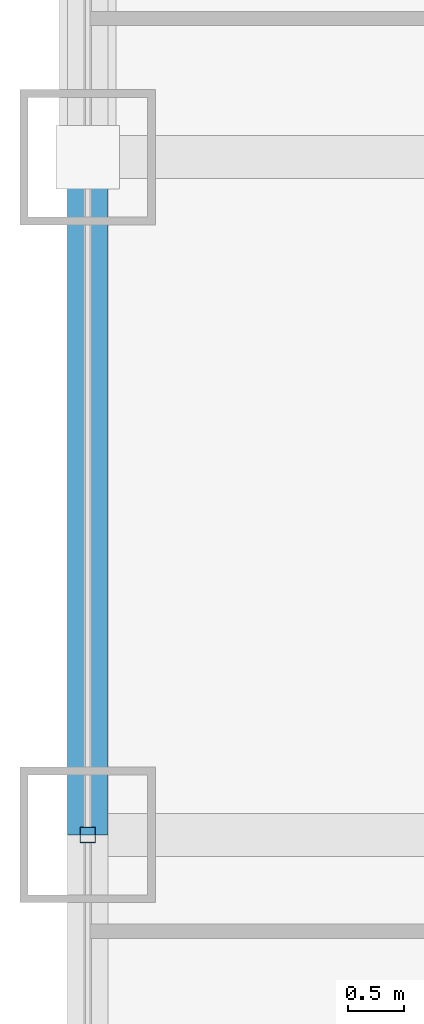
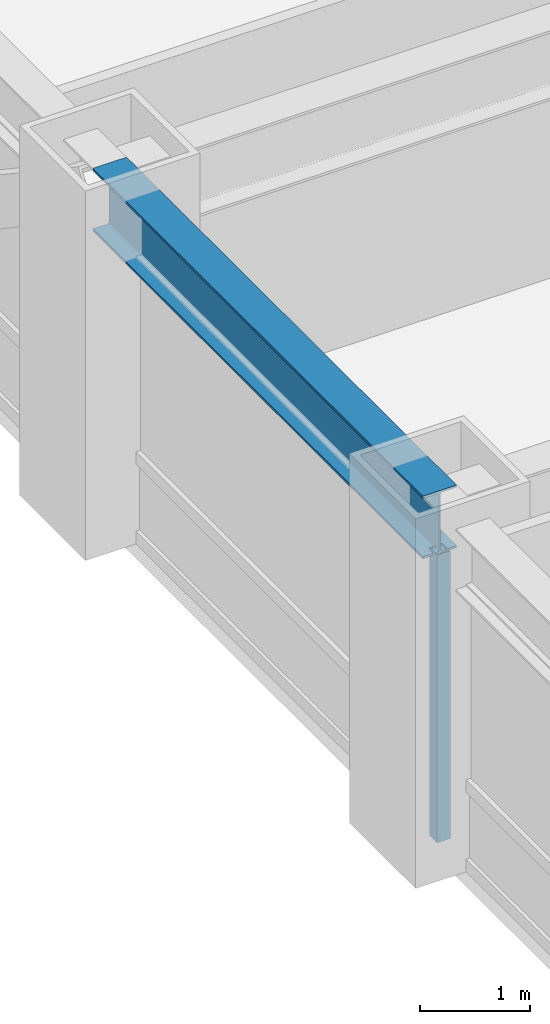
# One storey, part 8 of 32: 1 beam, 1 member, 1 element without a shape of its own.
"""IFC4 building model written with IfcOpenShell, lengths in metres."""

from ifc_helpers import new_model, si_unit, direction, frame, origin, origin_2d, place, context, subcontext, project, spatial, hollow_rectangle, i_section, extrude, source, transform, mapped, material, material_profile, profile_set, type_object, element, aggregate, save


model = new_model("IFC4")

# Units and contexts
model_context = context("Model", 3, precision=1e-05, world=origin(), true_north=direction((0.0, 1.0)))
body_context = subcontext(model_context, "Body", "Model", "MODEL_VIEW")
ifc_project = project(units=[si_unit("LENGTHUNIT", "METRE"), si_unit("AREAUNIT", "SQUARE_METRE"), si_unit("VOLUMEUNIT", "CUBIC_METRE"), si_unit("PLANEANGLEUNIT", "RADIAN"), si_unit("MASSUNIT", "GRAM", prefix="KILO")], contexts=[model_context])

# Site, building, storey
site_placement = place(None, origin())
site = spatial("IfcSite", under=ifc_project, at=site_placement, CompositionType="ELEMENT")
building_placement = place(site_placement, origin())
building = spatial("IfcBuilding", under=site, at=building_placement, Name="Khorayat Bourse Tower", CompositionType="ELEMENT")
storey_placement = place(building_placement, frame((0.0, 0.0, 91.39990234375)))
storey = spatial("IfcBuildingStorey", under=building, at=storey_placement, Name="L20", CompositionType="ELEMENT", Elevation=91.39990234375)

# Beam
ifc_material_1 = material(Name="Steel ASTM A992 Grade 50", Category="steel")
ifc_material_profile_1 = material_profile(ifc_material_1, i_section(OverallWidth=0.35498046875, OverallDepth=0.695068359375, WebThickness=0.015380859375, FlangeThickness=0.02490234375, FilletRadius=0.01806640625, at=origin_2d()), Name="W690X217")
ifc_profile_set_1 = profile_set([ifc_material_profile_1], Name="Steel ASTM A992 Grade 50")
beam_type = type_object("IfcBeamType", Name="BM-SPAN-690", PredefinedType="SPANDREL", material=ifc_profile_set_1)
shared_shape_1 = source(origin(), body_context, "Body", "SweptSolid", [
    extrude(i_section(OverallWidth=0.35498046875, OverallDepth=0.695068359375, WebThickness=0.015380859375, FlangeThickness=0.02490234375, FilletRadius=0.01806640625, at=origin_2d()), origin(), (0.0, 0.0, 1.0), 6.0),
])
beam_placement = place(storey_placement, frame((-32.0, 0.0, 3.49267578125), z_axis=(0.0, 1.0, 0.0), x_axis=(-1.0, 0.0, 0.0)))
element("IfcBeam", 1, at=beam_placement, inside=storey, type_object=beam_type, Name="L20 BM-SPAN-690 BM-L20-SPN-057", PredefinedType="SPANDREL", context=body_context, shape_type="MappedRepresentation", body=[
    mapped(shared_shape_1, transform((0.0, 0.0, 0.0), scale=1.0)),
])

# Curtain wall, member
ifc_material_2 = material(Name="Aluminium EN AW-6063 T6", Category="aluminium")
curtain_wall_type = type_object("IfcCurtainWallType", Name="CW-SYS-02", PredefinedType="NOTDEFINED", material=ifc_material_2)
curtain_wall_placement = place(storey_placement, origin())
curtain_wall = element("IfcCurtainWall", 2, at=curtain_wall_placement, inside=storey, type_object=curtain_wall_type, Name="L20 Curtain Wall CW-L20-W1", PredefinedType="NOTDEFINED")
ifc_material_profile_2 = material_profile(ifc_material_2, hollow_rectangle(XDim=0.139892578125, YDim=0.139892578125, WallThickness=0.006103515625, at=origin_2d()), Name="ALU 140x140x6")
ifc_profile_set_2 = profile_set([ifc_material_profile_2], Name="Aluminium EN AW-6063 T6")
member_type = type_object("IfcMemberType", Name="CWM-VERT-140", PredefinedType="MULLION", material=ifc_profile_set_2)
shared_shape_2 = source(origin(), body_context, "Body", "SweptSolid", [
    extrude(hollow_rectangle(XDim=0.139892578125, YDim=0.139892578125, WallThickness=0.006103515625, at=origin_2d()), origin(), (0.0, 0.0, 1.0), 3.190185546875),
])
member_placement = place(storey_placement, frame((-32.0, 0.0, 0.0), z_axis=(0.0, 0.0, 1.0), x_axis=(-1.0, 0.0, 0.0)))
member = element("IfcMember", 3, at=member_placement, type_object=member_type, Name="CW-L20-W1 Vertical Mullion 2", PredefinedType="MULLION", context=body_context, shape_type="MappedRepresentation", body=[
    mapped(shared_shape_2, transform((0.0, 0.0, 0.0), scale=1.0)),
])
aggregate(curtain_wall, [member])

save(model, "model.ifc")
